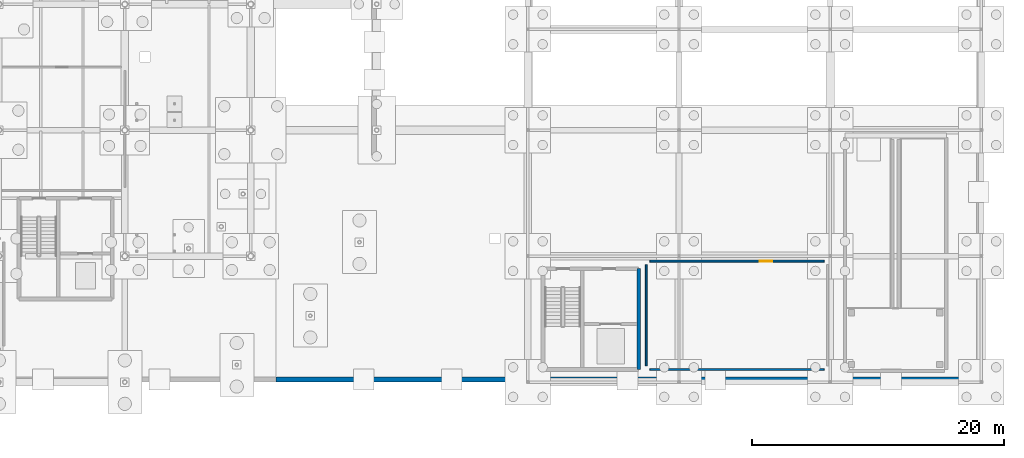
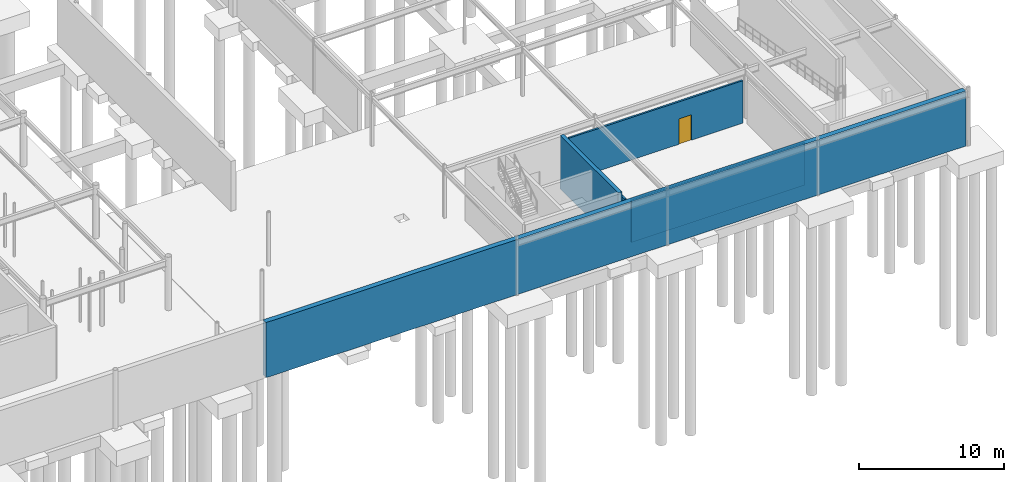
# One storey, part 67 of 75: 5 walls, 1 door, 1 opening.
"""IFC4 building model written with IfcOpenShell, lengths in metres."""

import ifcopenshell
import ifcopenshell.guid

model = None  # the IFC model being written
_history = None  # IfcOwnerHistory: only IFC2X3 demands one
_inside = {}  # id of a spatial element -> (the spatial element, [elements in it])
_under = {}  # id of a project, library or spatial element -> (it, [spatial elements below it])
_declared = {}  # id of a project -> (the project, [libraries it declares])
_typed = {}  # id of a type object -> (the type object, [elements of that type])
_made_of = {}  # id of a material, layer set ... -> (it, [elements and type objects made of it])


def new_model(schema):
    """Start an empty IFC model of exactly this schema.

    Asked for "IFC4X3", IfcOpenShell would pick the latest addendum, in which some entities
    have other attributes; the version numbers below select the first issue.
    IFC2X3 requires an IfcOwnerHistory on every rooted entity: one is made here for all.
    """
    global model, _history
    if schema == "IFC4X3":
        model = ifcopenshell.file(schema_version=(4, 3, 0, 0))
    else:
        model = ifcopenshell.file(schema=schema)
    _inside.clear()
    _under.clear()
    _declared.clear()
    _typed.clear()
    _made_of.clear()
    _history = None
    if model.schema == "IFC2X3":
        org = make("IfcOrganization", Name="unknown")
        user = make(
            "IfcPersonAndOrganization",
            ThePerson=make("IfcPerson", FamilyName="unknown"),
            TheOrganization=org,
        )
        app = make(
            "IfcApplication",
            ApplicationDeveloper=org,
            Version="unknown",
            ApplicationFullName="unknown",
            ApplicationIdentifier="unknown",
        )
        _history = make(
            "IfcOwnerHistory",
            OwningUser=user,
            OwningApplication=app,
            ChangeAction="ADDED",
            CreationDate=0,
        )
    return model


def make(cls, **values):
    """One entity of the class cls with the attributes given. An attribute that is None is left unset."""
    return model.create_entity(
        cls, **{name: value for name, value in values.items() if value is not None}
    )


def rooted(cls, **values):
    """An entity with a GlobalId (a new one), such as an element, a storey or a relation."""
    return make(cls, GlobalId=ifcopenshell.guid.new(), OwnerHistory=_history, **values)


def si_unit(unit_type, name, prefix=None):
    """IfcSIUnit, for example si_unit("LENGTHUNIT", "METRE", prefix="MILLI")."""
    return make("IfcSIUnit", UnitType=unit_type, Prefix=prefix, Name=name)


def derived_unit(unit_type, elements):
    """IfcDerivedUnit: a product of units, each with its exponent."""
    return make(
        "IfcDerivedUnit",
        Elements=[
            make("IfcDerivedUnitElement", Unit=unit, Exponent=power)
            for unit, power in elements
        ],
        UnitType=unit_type,
    )


def assignment(units):
    """IfcUnitAssignment: the units of a project."""
    return None if units is None else make("IfcUnitAssignment", Units=units)


def point(xyz):
    """IfcCartesianPoint."""
    return None if xyz is None else make("IfcCartesianPoint", Coordinates=xyz)


def direction(xyz):
    """IfcDirection."""
    return None if xyz is None else make("IfcDirection", DirectionRatios=xyz)


def frame(location, z_axis=None, x_axis=None):
    """IfcAxis2Placement3D, a coordinate frame: its origin and axes. An axis left out is left unset."""
    return make(
        "IfcAxis2Placement3D",
        Location=point(location),
        Axis=direction(z_axis),
        RefDirection=direction(x_axis),
    )


def frame_2d(location, x_axis=None):
    """IfcAxis2Placement2D, a coordinate frame in the plane: its origin and x axis."""
    return make(
        "IfcAxis2Placement2D", Location=point(location), RefDirection=direction(x_axis)
    )


def origin():
    """The frame at (0, 0, 0) with its axes left unset."""
    return frame((0.0, 0.0, 0.0))


def place(relative_to, where):
    """IfcLocalPlacement: puts the frame where relative to a parent placement (None: the world)."""
    return make(
        "IfcLocalPlacement", PlacementRelTo=relative_to, RelativePlacement=where
    )


def context(
    kind, dimensions, precision=None, world=None, true_north=None, identifier=None
):
    """IfcGeometricRepresentationContext, for example the 3D "Model" context."""
    return make(
        "IfcGeometricRepresentationContext",
        ContextIdentifier=identifier,
        ContextType=kind,
        CoordinateSpaceDimension=dimensions,
        Precision=precision,
        WorldCoordinateSystem=world,
        TrueNorth=true_north,
    )


def subcontext(parent, identifier, kind, view, scale=None):
    """IfcGeometricRepresentationSubContext, for example "Body" below "Model"."""
    return make(
        "IfcGeometricRepresentationSubContext",
        ContextIdentifier=identifier,
        ContextType=kind,
        ParentContext=parent,
        TargetScale=scale,
        TargetView=view,
    )


def project(units=None, contexts=None):
    """IfcProject with its units and contexts."""
    return rooted(
        "IfcProject",
        Name="project",
        RepresentationContexts=contexts,
        UnitsInContext=assignment(units),
    )


def spatial(cls, under=None, at=None, **own):
    """A site, building, storey or space (cls), placed at a placement, below another one or the project."""
    s = rooted(cls, ObjectPlacement=at, **own)
    if under is not None:
        _under.setdefault(under.id(), (under, []))[1].append(s)
    return s


def profile(cls, at=None, kind="AREA", **sizes):
    """A parametric profile (cls). Its sizes go by their IFC names, for example OverallWidth=200.0."""
    return make(cls, ProfileType=kind, Position=at, **sizes)


def rectangle(**sizes):
    """IfcRectangleProfileDef."""
    return profile("IfcRectangleProfileDef", **sizes)


def extrude(swept, where, along, depth):
    """IfcExtrudedAreaSolid: the profile swept, set in the frame where, extruded along a direction by depth."""
    return make(
        "IfcExtrudedAreaSolid",
        SweptArea=swept,
        Position=where,
        ExtrudedDirection=direction(along),
        Depth=depth,
    )


def shape(context_of_items, identifier, shape_type, items):
    """IfcShapeRepresentation: the items that make up one representation, for example the "Body"."""
    return make(
        "IfcShapeRepresentation",
        ContextOfItems=context_of_items,
        RepresentationIdentifier=identifier,
        RepresentationType=shape_type,
        Items=items,
    )


def material(Name=None, Category=None):
    """IfcMaterial."""
    return make("IfcMaterial", Name=Name, Category=Category)


def layer(
    of_material, thickness, ventilated=None, Name=None, Category=None, Priority=None
):
    """IfcMaterialLayer: one layer of a wall or slab, of a material (None: an air gap)."""
    return make(
        "IfcMaterialLayer",
        Material=of_material,
        LayerThickness=thickness,
        IsVentilated=ventilated,
        Name=Name,
        Category=Category,
        Priority=Priority,
    )


def layer_set(layers, Name=None):
    """IfcMaterialLayerSet."""
    return make("IfcMaterialLayerSet", MaterialLayers=layers, LayerSetName=Name)


def made_of(thing, what):
    """Note that an element or type object is made of a material, layer set ...; save() writes the relation."""
    if what is not None:
        _made_of.setdefault(what.id(), (what, []))[1].append(thing)
    return thing


def type_object(cls, material=None, **own):
    """A type object (cls), such as IfcWallType, which elements share."""
    return made_of(rooted(cls, **own), material)


def element(
    cls,
    number,
    at=None,
    inside=None,
    cuts=None,
    type_object=None,
    material=None,
    context=None,
    identifier="Body",
    shape_type=None,
    held_by="IfcProductDefinitionShape",
    body=None,
    shapes=None,
    **own,
):
    """One element of the class cls, such as IfcWall. Its Tag is "e" and its number.

    at: its placement. inside: the storey or other place that contains it. cuts: it is an
    opening in that element (IfcRelVoidsElement). A single representation is given by context,
    identifier, shape_type and body (its items); several are given by shapes. held_by: the class
    of the entity that holds the representations. save() writes the other relations.
    """
    e = rooted(cls, Tag="e%d" % number, ObjectPlacement=at, **own)
    if body is not None:
        shapes = [shape(context, identifier, shape_type, body)]
    if shapes is not None:
        e.Representation = make(held_by, Representations=shapes)
    if inside is not None:
        _inside.setdefault(inside.id(), (inside, []))[1].append(e)
    if cuts is not None:
        rooted(
            "IfcRelVoidsElement", RelatingBuildingElement=cuts, RelatedOpeningElement=e
        )
    if type_object is not None:
        _typed.setdefault(type_object.id(), (type_object, []))[1].append(e)
    return made_of(e, material)


def fill(opening, filler):
    """IfcRelFillsElement: the door or window that sits in an opening."""
    return rooted(
        "IfcRelFillsElement",
        RelatingOpeningElement=opening,
        RelatedBuildingElement=filler,
    )


def aggregate(whole, parts):
    """IfcRelAggregates: a whole, such as a stair, and the parts it consists of."""
    return rooted("IfcRelAggregates", RelatingObject=whole, RelatedObjects=parts)


def save(model, path):
    """Write the relations noted so far, then the file.

    IfcRelAggregates (storeys below a building ...), IfcRelContainedInSpatialStructure (elements
    in a storey), IfcRelDefinesByType, IfcRelAssociatesMaterial and IfcRelDeclares: one each for
    every whole, place, type object, material and project.
    """
    for whole, parts in _under.values():
        aggregate(whole, parts)
    for where, things in _inside.values():
        rooted(
            "IfcRelContainedInSpatialStructure",
            RelatedElements=things,
            RelatingStructure=where,
        )
    for kind, things in _typed.values():
        rooted("IfcRelDefinesByType", RelatedObjects=things, RelatingType=kind)
    for what, things in _made_of.values():
        rooted("IfcRelAssociatesMaterial", RelatedObjects=things, RelatingMaterial=what)
    for by, libraries in _declared.values():
        rooted("IfcRelDeclares", RelatingContext=by, RelatedDefinitions=libraries)
    model.write(path)


model = new_model("IFC4")

# Units and contexts
model_context = context("Model", 3, precision=1e-05, world=origin(), true_north=direction((0.0, 1.0)))
body_context = subcontext(model_context, "Body", "Model", "MODEL_VIEW")
ifc_project = project(units=[si_unit("LENGTHUNIT", "METRE"), si_unit("AREAUNIT", "SQUARE_METRE"), si_unit("VOLUMEUNIT", "CUBIC_METRE"), si_unit("PLANEANGLEUNIT", "RADIAN"), si_unit("MASSUNIT", "GRAM", prefix="KILO"), derived_unit("THERMALTRANSMITTANCEUNIT", [(si_unit("POWERUNIT", "WATT"), 1), (si_unit("LENGTHUNIT", "METRE"), -2), (si_unit("THERMODYNAMICTEMPERATUREUNIT", "KELVIN"), -1)])], contexts=[model_context])

# Site, building, storey
site_placement = place(None, origin())
site = spatial("IfcSite", under=ifc_project, at=site_placement, CompositionType="ELEMENT")
building_placement = place(site_placement, origin())
building = spatial("IfcBuilding", under=site, at=building_placement, Name="Cinnabar Yard Market Hall", CompositionType="ELEMENT")
storey_placement = place(building_placement, frame((0.0, 0.0, -4.5)))
storey = spatial("IfcBuildingStorey", under=building, at=storey_placement, Name="B1", CompositionType="ELEMENT", Elevation=-4.5)

# Wall
ifc_material_1 = material(Name="Fire-rated steel-stud plasterboard", Category="steel")
ifc_layer_1 = layer(ifc_material_1, 0.14990234375)
ifc_layer_set_1 = layer_set([ifc_layer_1], Name="Fire-rated steel-stud plasterboard")
wall_type_1 = type_object("IfcWallType", Name="WL-PT150", PredefinedType="PARTITIONING", material=ifc_layer_set_1)
wall_1_placement = place(storey_placement, frame((187.679931640625, 15.0, 0.0), z_axis=(0.0, 0.0, 1.0), x_axis=(1.0, 0.0, 0.0)))
element("IfcWall", 1, at=wall_1_placement, inside=storey, type_object=wall_type_1, Name="Partition Basement Delivery Marshalling Hall south", PredefinedType="PARTITIONING", context=body_context, shape_type="SweptSolid", body=[
    extrude(rectangle(XDim=13.840087890625, YDim=0.14990234375, at=frame_2d((6.919921875, 0.0), x_axis=(1.0, 0.0))), origin(), (0.0, 0.0, 1.0), 3.580078125),
])

# Wall, opening, door
wall_2_placement = place(storey_placement, frame((201.52001953125, 23.60009765625, 0.0), z_axis=(0.0, 0.0, 1.0), x_axis=(-1.0, 0.0, 0.0)))
wall_2 = element("IfcWall", 2, at=wall_2_placement, inside=storey, type_object=wall_type_1, Name="Partition Basement Delivery Marshalling Hall north", PredefinedType="PARTITIONING", context=body_context, shape_type="SweptSolid", body=[
    extrude(rectangle(XDim=13.840087890625, YDim=0.14990234375, at=frame_2d((6.919921875, 0.0), x_axis=(1.0, 0.0))), origin(), (0.0, 0.0, 1.0), 3.580078125),
])
opening_placement = place(wall_2_placement, frame((4.10888671875, 0.0, 0.0)))
opening = element("IfcOpeningElement", 3, at=opening_placement, cuts=wall_2, Name="Opening ID-108", PredefinedType="OPENING", context=body_context, shape_type="SweptSolid", body=[
    extrude(rectangle(XDim=1.0, YDim=2.14990234375, at=frame_2d((0.5, 1.074951171875), x_axis=(1.0, 0.0))), frame((0.0, 0.0849609375, 0.0), z_axis=(0.0, -1.0, 0.0), x_axis=(1.0, 0.0, 0.0)), (0.0, 0.0, 1.0), 0.169921875),
])
ifc_material_2 = material(Name="Solid-core spotted gum timber", Category="wood")
door_type = type_object("IfcDoorType", Name="DR-D05", OperationType="NOTDEFINED", PredefinedType="DOOR", material=ifc_material_2)
door_placement = place(opening_placement, origin())
door = element("IfcDoor", 4, at=door_placement, inside=storey, type_object=door_type, Name="Interior Door ID-108", OperationType="SINGLE_SWING_LEFT", OverallHeight=2.14990234375, OverallWidth=1.0, PredefinedType="DOOR", context=body_context, shape_type="SweptSolid", body=[
    extrude(rectangle(XDim=1.0, YDim=2.14990234375, at=frame_2d((0.5, 1.074951171875), x_axis=(1.0, 0.0))), frame((0.0, 0.02490234375, 0.0), z_axis=(0.0, -1.0, 0.0), x_axis=(1.0, 0.0, 0.0)), (0.0, 0.0, 1.0), 0.050048828125),
])
fill(opening, door)

# Walls
wall_3_placement = place(storey_placement, frame((187.39990234375, 23.320068359375, 0.0), z_axis=(0.0, 0.0, 1.0), x_axis=(0.0, -1.0, 0.0)))
element("IfcWall", 5, at=wall_3_placement, inside=storey, type_object=wall_type_1, Name="Partition Basement Delivery Marshalling Hall west", PredefinedType="PARTITIONING", context=body_context, shape_type="SweptSolid", body=[
    extrude(rectangle(XDim=8.0400390625, YDim=0.14990234375, at=frame_2d((4.02001953125, 0.0), x_axis=(1.0, 0.0))), origin(), (0.0, 0.0, 1.0), 3.580078125),
])
ifc_material_3 = material(Name="Concrete 40 MPa", Category="concrete")
ifc_layer_2 = layer(ifc_material_3, 0.300048828125)
ifc_layer_set_2 = layer_set([ifc_layer_2], Name="Concrete 40 MPa")
wall_type_2 = type_object("IfcWallType", Name="WL-W-CORE", PredefinedType="SHEAR", material=ifc_layer_set_2)
wall_4_placement = place(storey_placement, frame((186.800048828125, 15.0, 0.0), z_axis=(0.0, 0.0, 1.0), x_axis=(0.0, 1.0, 0.0)))
element("IfcWall", 6, at=wall_4_placement, inside=storey, type_object=wall_type_2, Name="Core C8 East Shear Wall B1", PredefinedType="SHEAR", context=body_context, shape_type="SweptSolid", body=[
    extrude(rectangle(XDim=8.0, YDim=0.300048828125, at=frame_2d((4.0, 0.0), x_axis=(1.0, 0.0))), origin(), (0.0, 0.0, 1.0), 4.5),
])
ifc_layer_3 = layer(ifc_material_3, 0.39990234375)
ifc_layer_set_3 = layer_set([ifc_layer_3], Name="Concrete 40 MPa")
wall_type_3 = type_object("IfcWallType", Name="WL-W-RET1E", PredefinedType="USERDEFINED", material=ifc_layer_set_3)
wall_5_placement = place(storey_placement, frame((158.0, 14.199951171875, -0.449951171875), z_axis=(0.0, 0.0, 1.0), x_axis=(1.0, 0.0, 0.0)))
element("IfcWall", 7, at=wall_5_placement, inside=storey, type_object=wall_type_3, Name="Retaining Plinth Wall B1-RET-V4S", ObjectType="RETAINING WALL", PredefinedType="USERDEFINED", context=body_context, shape_type="SweptSolid", body=[
    extrude(rectangle(XDim=55.800048828125, YDim=0.39990234375, at=frame_2d((27.89990234375, 0.0), x_axis=(1.0, 0.0))), origin(), (0.0, 0.0, 1.0), 4.64990234375),
])

save(model, "model.ifc")
